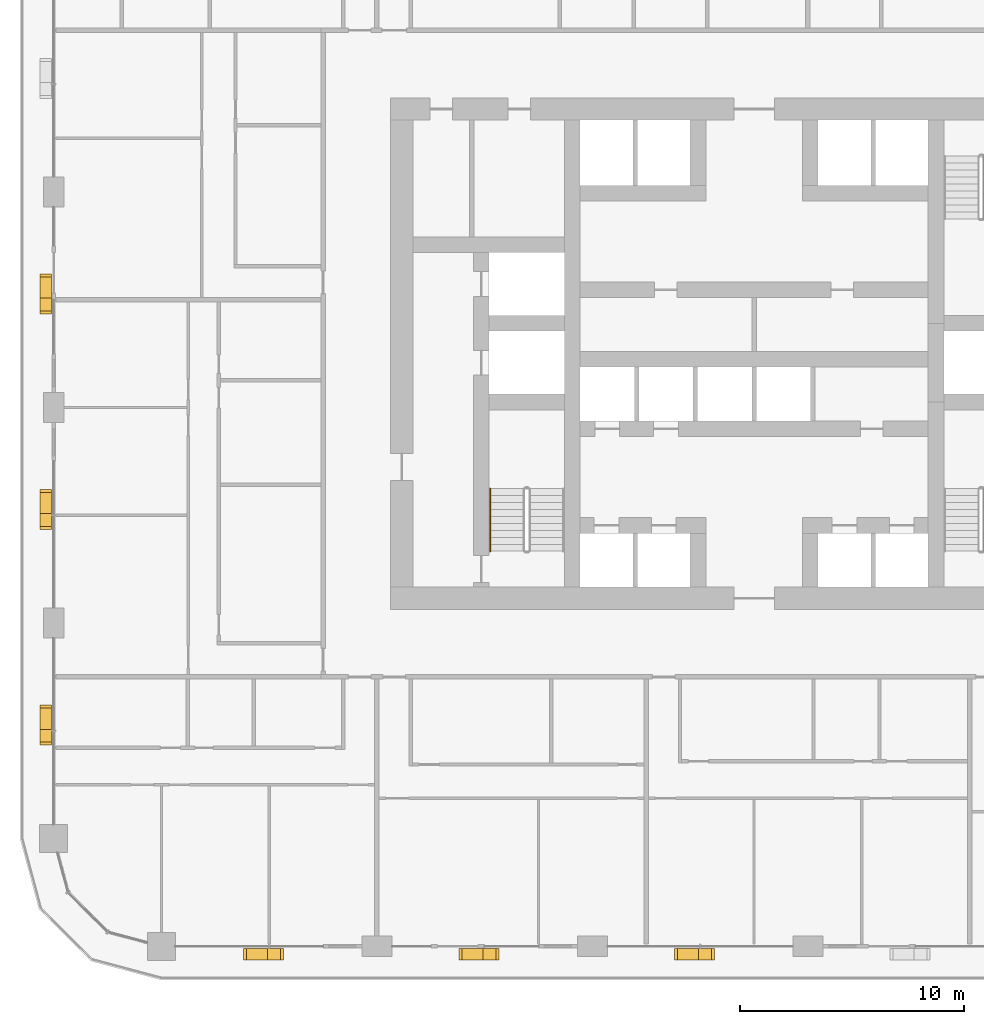
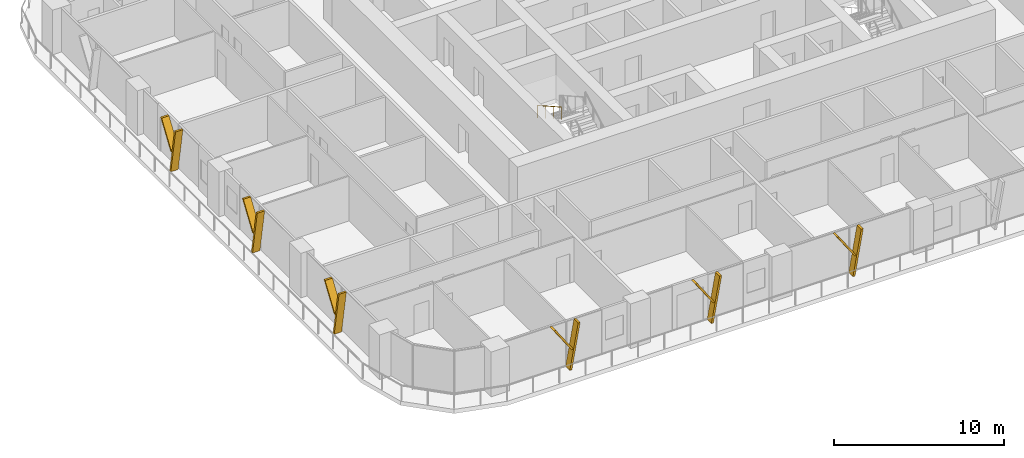
# One storey, part 16 of 21: 12 shading devices, 1 railing.
"""IFC4 building model written with IfcOpenShell, lengths in metres."""

from ifc_helpers import new_model, si_unit, direction, frame, origin, origin_2d, place, context, subcontext, project, spatial, polyline, circle, outline, extrude, material, type_object, element, save


model = new_model("IFC4")

# Units and contexts
model_context = context("Model", 3, precision=1e-05, world=origin(), true_north=direction((0.0, 1.0)))
body_context = subcontext(model_context, "Body", "Model", "MODEL_VIEW")
ifc_project = project(units=[si_unit("LENGTHUNIT", "METRE"), si_unit("AREAUNIT", "SQUARE_METRE"), si_unit("VOLUMEUNIT", "CUBIC_METRE"), si_unit("PLANEANGLEUNIT", "RADIAN"), si_unit("MASSUNIT", "GRAM", prefix="KILO")], contexts=[model_context])

# Site, building, storey
site_placement = place(None, origin())
site = spatial("IfcSite", under=ifc_project, at=site_placement, CompositionType="ELEMENT")
building_placement = place(site_placement, origin())
building = spatial("IfcBuilding", under=site, at=building_placement, Name="Madar Terraces", CompositionType="ELEMENT")
storey_placement = place(building_placement, frame((0.0, 0.0, 29.39990234375)))
storey = spatial("IfcBuildingStorey", under=building, at=storey_placement, Name="L06", CompositionType="ELEMENT", Elevation=29.39990234375)

# Shading devices
ifc_material_1 = material(Name="Aluminium, black anodised", Category="aluminium")
shading_device_type = type_object("IfcShadingDeviceType", Name="Facade fin blade 140 x 500", PredefinedType="USERDEFINED", material=ifc_material_1)
shading_device_1_placement = place(storey_placement, frame((9.530029296875, -0.35009765625, 0.0), z_axis=(0.0, 0.0, 1.0), x_axis=(1.0, 0.0, 0.0)))
element("IfcShadingDevice", 1, at=shading_device_1_placement, inside=storey, type_object=shading_device_type, Name="FIN L06 S1", ObjectType="FIN", PredefinedType="USERDEFINED", context=body_context, shape_type="SweptSolid", body=[
    extrude(outline(polyline([(0.0, 0.0), (0.139892578125, 0.0), (0.704345703125, 3.2001953125), (0.564208984375, 3.2001953125), (0.0, 0.0)])), frame((0.0, 0.25, 0.0), z_axis=(0.0, -1.0, 0.0), x_axis=(1.0, 0.0, 0.0)), (0.0, 0.0, 1.0), 0.5),
])
shading_device_2_placement = place(storey_placement, frame((9.643798828125, -0.35009765625, 1.440185546875), z_axis=(0.0, 0.0, 1.0), x_axis=(1.0, 0.0, 0.0)))
element("IfcShadingDevice", 2, at=shading_device_2_placement, inside=storey, type_object=shading_device_type, Name="FIN L06 S1 branch", ObjectType="FIN", PredefinedType="USERDEFINED", context=body_context, shape_type="SweptSolid", body=[
    extrude(outline(polyline([(0.0, 0.0), (0.14013671875, 0.0), (-1.049560546875, 1.760009765625), (-1.189697265625, 1.760009765625), (0.0, 0.0)])), frame((0.0, 0.25, 0.0), z_axis=(0.0, -1.0, 0.0), x_axis=(1.0, 0.0, 0.0)), (0.0, 0.0, 1.0), 0.5),
])
shading_device_3_placement = place(storey_placement, frame((19.1298828125, -0.35009765625, 0.0), z_axis=(0.0, 0.0, 1.0), x_axis=(1.0, 0.0, 0.0)))
element("IfcShadingDevice", 3, at=shading_device_3_placement, inside=storey, type_object=shading_device_type, Name="FIN L06 S2", ObjectType="FIN", PredefinedType="USERDEFINED", context=body_context, shape_type="SweptSolid", body=[
    extrude(outline(polyline([(0.0, 0.0), (0.14013671875, 0.0), (0.704345703125, 3.2001953125), (0.564208984375, 3.2001953125), (0.0, 0.0)])), frame((0.0, 0.25, 0.0), z_axis=(0.0, -1.0, 0.0), x_axis=(1.0, 0.0, 0.0)), (0.0, 0.0, 1.0), 0.5),
])
shading_device_4_placement = place(storey_placement, frame((19.243896484375, -0.35009765625, 1.440185546875), z_axis=(0.0, 0.0, 1.0), x_axis=(1.0, 0.0, 0.0)))
element("IfcShadingDevice", 4, at=shading_device_4_placement, inside=storey, type_object=shading_device_type, Name="FIN L06 S2 branch", ObjectType="FIN", PredefinedType="USERDEFINED", context=body_context, shape_type="SweptSolid", body=[
    extrude(outline(polyline([(0.0, 0.0), (0.139892578125, 0.0), (-1.049560546875, 1.760009765625), (-1.189697265625, 1.760009765625), (0.0, 0.0)])), frame((0.0, 0.25, 0.0), z_axis=(0.0, -1.0, 0.0), x_axis=(1.0, 0.0, 0.0)), (0.0, 0.0, 1.0), 0.5),
])
shading_device_5_placement = place(storey_placement, frame((28.72998046875, -0.35009765625, 0.0), z_axis=(0.0, 0.0, 1.0), x_axis=(1.0, 0.0, 0.0)))
element("IfcShadingDevice", 5, at=shading_device_5_placement, inside=storey, type_object=shading_device_type, Name="FIN L06 S3", ObjectType="FIN", PredefinedType="USERDEFINED", context=body_context, shape_type="SweptSolid", body=[
    extrude(outline(polyline([(0.0, 0.0), (0.14013671875, 0.0), (0.704345703125, 3.2001953125), (0.564208984375, 3.2001953125), (0.0, 0.0)])), frame((0.0, 0.25, 0.0), z_axis=(0.0, -1.0, 0.0), x_axis=(1.0, 0.0, 0.0)), (0.0, 0.0, 1.0), 0.5),
])
shading_device_6_placement = place(storey_placement, frame((28.843994140625, -0.35009765625, 1.440185546875), z_axis=(0.0, 0.0, 1.0), x_axis=(1.0, 0.0, 0.0)))
element("IfcShadingDevice", 6, at=shading_device_6_placement, inside=storey, type_object=shading_device_type, Name="FIN L06 S3 branch", ObjectType="FIN", PredefinedType="USERDEFINED", context=body_context, shape_type="SweptSolid", body=[
    extrude(outline(polyline([(0.0, 0.0), (0.139892578125, 0.0), (-1.049560546875, 1.760009765625), (-1.189697265625, 1.760009765625), (0.0, 0.0)])), frame((0.0, 0.25, 0.0), z_axis=(0.0, -1.0, 0.0), x_axis=(1.0, 0.0, 0.0)), (0.0, 0.0, 1.0), 0.5),
])
shading_device_7_placement = place(storey_placement, frame((-0.35009765625, 28.8701171875, 0.0), z_axis=(0.0, 0.0, 1.0), x_axis=(0.0, -1.0, 0.0)))
element("IfcShadingDevice", 7, at=shading_device_7_placement, inside=storey, type_object=shading_device_type, Name="FIN L06 W2", ObjectType="FIN", PredefinedType="USERDEFINED", context=body_context, shape_type="SweptSolid", body=[
    extrude(outline(polyline([(0.0, 0.0), (0.14013671875, 0.0), (0.704345703125, 3.2001953125), (0.564208984375, 3.2001953125), (0.0, 0.0)])), frame((0.0, 0.25, 0.0), z_axis=(0.0, -1.0, 0.0), x_axis=(1.0, 0.0, 0.0)), (0.0, 0.0, 1.0), 0.5),
])
shading_device_8_placement = place(storey_placement, frame((-0.35009765625, 28.756103515625, 1.440185546875), z_axis=(0.0, 0.0, 1.0), x_axis=(0.0, -1.0, 0.0)))
element("IfcShadingDevice", 8, at=shading_device_8_placement, inside=storey, type_object=shading_device_type, Name="FIN L06 W2 branch", ObjectType="FIN", PredefinedType="USERDEFINED", context=body_context, shape_type="SweptSolid", body=[
    extrude(outline(polyline([(0.0, 0.0), (0.139892578125, 0.0), (-1.049560546875, 1.760009765625), (-1.189697265625, 1.760009765625), (0.0, 0.0)])), frame((0.0, 0.25, 0.0), z_axis=(0.0, -1.0, 0.0), x_axis=(1.0, 0.0, 0.0)), (0.0, 0.0, 1.0), 0.5),
])
shading_device_9_placement = place(storey_placement, frame((-0.35009765625, 19.27001953125, 0.0), z_axis=(0.0, 0.0, 1.0), x_axis=(0.0, -1.0, 0.0)))
element("IfcShadingDevice", 9, at=shading_device_9_placement, inside=storey, type_object=shading_device_type, Name="FIN L06 W3", ObjectType="FIN", PredefinedType="USERDEFINED", context=body_context, shape_type="SweptSolid", body=[
    extrude(outline(polyline([(0.0, 0.0), (0.14013671875, 0.0), (0.704345703125, 3.2001953125), (0.564208984375, 3.2001953125), (0.0, 0.0)])), frame((0.0, 0.25, 0.0), z_axis=(0.0, -1.0, 0.0), x_axis=(1.0, 0.0, 0.0)), (0.0, 0.0, 1.0), 0.5),
])
shading_device_10_placement = place(storey_placement, frame((-0.35009765625, 19.156005859375, 1.440185546875), z_axis=(0.0, 0.0, 1.0), x_axis=(0.0, -1.0, 0.0)))
element("IfcShadingDevice", 10, at=shading_device_10_placement, inside=storey, type_object=shading_device_type, Name="FIN L06 W3 branch", ObjectType="FIN", PredefinedType="USERDEFINED", context=body_context, shape_type="SweptSolid", body=[
    extrude(outline(polyline([(0.0, 0.0), (0.139892578125, 0.0), (-1.049560546875, 1.760009765625), (-1.189697265625, 1.760009765625), (0.0, 0.0)])), frame((0.0, 0.25, 0.0), z_axis=(0.0, -1.0, 0.0), x_axis=(1.0, 0.0, 0.0)), (0.0, 0.0, 1.0), 0.5),
])
shading_device_11_placement = place(storey_placement, frame((-0.35009765625, 9.669921875, 0.0), z_axis=(0.0, 0.0, 1.0), x_axis=(0.0, -1.0, 0.0)))
element("IfcShadingDevice", 11, at=shading_device_11_placement, inside=storey, type_object=shading_device_type, Name="FIN L06 W4", ObjectType="FIN", PredefinedType="USERDEFINED", context=body_context, shape_type="SweptSolid", body=[
    extrude(outline(polyline([(0.0, 0.0), (0.139892578125, 0.0), (0.704345703125, 3.2001953125), (0.564208984375, 3.2001953125), (0.0, 0.0)])), frame((0.0, 0.25, 0.0), z_axis=(0.0, -1.0, 0.0), x_axis=(1.0, 0.0, 0.0)), (0.0, 0.0, 1.0), 0.5),
])
shading_device_12_placement = place(storey_placement, frame((-0.35009765625, 9.55615234375, 1.440185546875), z_axis=(0.0, 0.0, 1.0), x_axis=(0.0, -1.0, 0.0)))
element("IfcShadingDevice", 12, at=shading_device_12_placement, inside=storey, type_object=shading_device_type, Name="FIN L06 W4 branch", ObjectType="FIN", PredefinedType="USERDEFINED", context=body_context, shape_type="SweptSolid", body=[
    extrude(outline(polyline([(0.0, 0.0), (0.14013671875, 0.0), (-1.049560546875, 1.760009765625), (-1.189697265625, 1.760009765625), (0.0, 0.0)])), frame((0.0, 0.25, 0.0), z_axis=(0.0, -1.0, 0.0), x_axis=(1.0, 0.0, 0.0)), (0.0, 0.0, 1.0), 0.5),
])

# Railing
ifc_material_2 = material(Name="Stainless steel railing", Category="steel")
railing_type = type_object("IfcRailingType", Name="Stair handrail 900", PredefinedType="HANDRAIL", material=ifc_material_2)
railing_placement = place(storey_placement, frame((19.449951171875, 20.389892578125, 1.925048828125)))
element("IfcRailing", 13, at=railing_placement, inside=storey, type_object=railing_type, Name="L06 ST1 stair handrail 2", PredefinedType="HANDRAIL", context=body_context, shape_type="SweptSolid", body=[
    extrude(circle(Radius=0.02392578125, at=origin_2d()), frame((0.0, 0.0, 0.8759765625), z_axis=(0.0, -0.870815363784, 0.491610213684), x_axis=(1.0, 0.0, 0.0)), (0.0, 0.0, 1.0), 3.20361328125),
    extrude(circle(Radius=0.02099609375, at=origin_2d()), origin(), (0.0, 0.0, 1.0), 0.851806640625),
    extrude(circle(Radius=0.02099609375, at=origin_2d()), frame((0.0, -0.929931640625, 0.52490234375)), (0.0, 0.0, 1.0), 0.851806640625),
    extrude(circle(Radius=0.02099609375, at=origin_2d()), frame((0.0, -1.85986328125, 1.050048828125)), (0.0, 0.0, 1.0), 0.851806640625),
    extrude(circle(Radius=0.02099609375, at=origin_2d()), frame((0.0, -2.789794921875, 1.574951171875)), (0.0, 0.0, 1.0), 0.851806640625),
])

save(model, "model.ifc")
